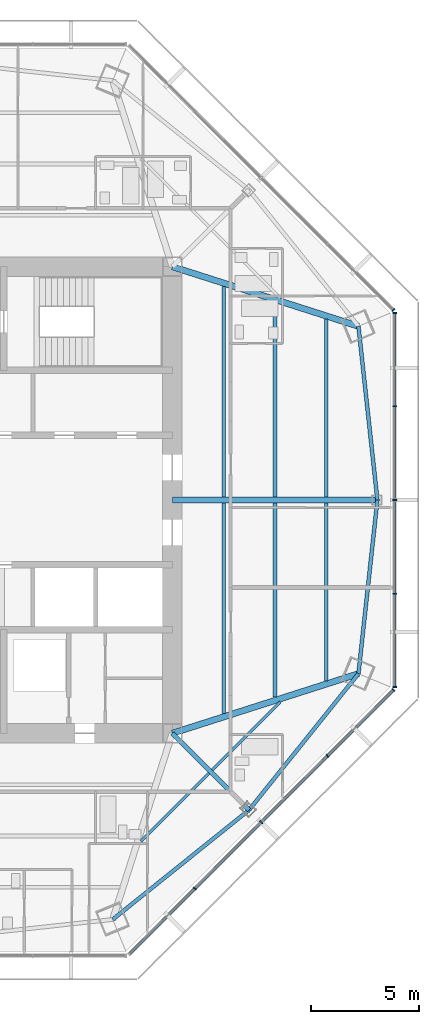
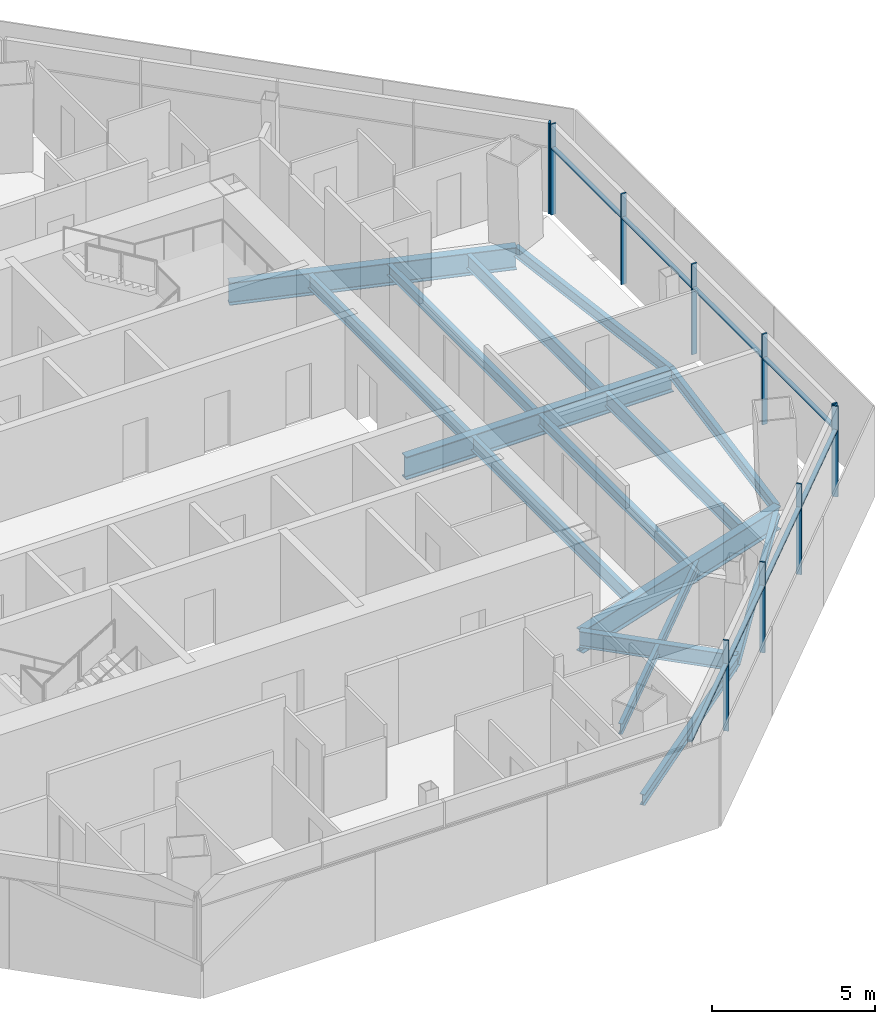
# One storey, part 4 of 14: 18 members, 16 beams, 3 elements without a shape of their own.
"""IFC4 building model written with IfcOpenShell, lengths in metres."""

from ifc_helpers import new_model, si_unit, direction, frame, origin, origin_2d, place, context, subcontext, project, spatial, rectangle, i_section, extrude, source, transform, mapped, material, material_profile, profile_set, type_object, type_shapes, element, aggregate, save


model = new_model("IFC4")

# Units and contexts
model_context = context("Model", 3, precision=1e-05, world=origin(), true_north=direction((0.0, 1.0)))
body_context = subcontext(model_context, "Body", "Model", "MODEL_VIEW")
ifc_project = project(units=[si_unit("LENGTHUNIT", "METRE"), si_unit("AREAUNIT", "SQUARE_METRE"), si_unit("VOLUMEUNIT", "CUBIC_METRE"), si_unit("PLANEANGLEUNIT", "RADIAN"), si_unit("MASSUNIT", "GRAM", prefix="KILO")], contexts=[model_context])

# Site, building, storey
site_placement = place(None, origin())
site = spatial("IfcSite", under=ifc_project, at=site_placement, CompositionType="ELEMENT")
building_placement = place(site_placement, origin())
building = spatial("IfcBuilding", under=site, at=building_placement, Name="Mashrafa Tower", CompositionType="ELEMENT")
storey_placement = place(building_placement, frame((0.0, 0.0, 244.800048828125)))
storey = spatial("IfcBuildingStorey", under=building, at=storey_placement, Name="L58", CompositionType="ELEMENT", Elevation=244.800048828125)

# Beams
ifc_material_1 = material(Name="Steel ASTM A992", Category="steel")
ifc_material_profile_1 = material_profile(ifc_material_1, i_section(OverallWidth=0.140380859375, OverallDepth=0.40380859375, WebThickness=0.007080078125, FlangeThickness=0.01123046875, FilletRadius=0.01025390625, at=origin_2d()), Name="W16X31")
ifc_profile_set_1 = profile_set([ifc_material_profile_1], Name="Steel ASTM A992")
beam_type_1 = type_object("IfcBeamType", Name="Beam W16X31", PredefinedType="BEAM", material=ifc_profile_set_1)
for number, where, z_axis, x_axis, name in (
    (1, (12.494873046875, -12.656005859375, -0.402099609375), (-0.707079293508, -0.707134267796, 0.0), (0.707134267796, -0.707079293508, 0.0), "Floor beam L58 024"),
    (2, (15.79638671875, -9.354736328125, -0.402099609375), (-0.707134267796, -0.707079293508, 0.0), (0.707079293508, -0.707134267796, 0.0), "Floor beam L58 030"),
):
    element("IfcBeam", number, at=place(storey_placement, frame(where, z_axis=z_axis, x_axis=x_axis)), inside=storey, type_object=beam_type_1, Name=name, PredefinedType="BEAM", context=body_context, shape_type="SweptSolid", body=[
        extrude(i_section(OverallWidth=0.140380859375, OverallDepth=0.40380859375, WebThickness=0.007080078125, FlangeThickness=0.01123046875, FilletRadius=0.01025390625, at=origin_2d()), origin(), (0.0, 0.0, 1.0), 4.44091796875),
    ])
ifc_material_2 = material(Name="Steel ASTM A992", Category="steel")
ifc_material_profile_2 = material_profile(ifc_material_2, i_section(OverallWidth=0.177734375, OverallDepth=0.406494140625, WebThickness=0.0078125, FlangeThickness=0.012939453125, FilletRadius=0.01025390625, at=origin_2d()), Name="W16X40")
ifc_profile_set_2 = profile_set([ifc_material_profile_2], Name="Steel ASTM A992")
beam_type_2 = type_object("IfcBeamType", Name="Beam W16X40", PredefinedType="BEAM", material=ifc_profile_set_2)
for number, where, z_axis, x_axis, name in (
    (3, (15.547607421875, -0.14599609375, -0.4033203125), (0.0, -1.0, 0.0), (1.0, 0.0, 0.0), "Floor beam L58 028"),
    (4, (15.547607421875, 9.127685546875, -0.4033203125), (0.0, -1.0, 0.0), (1.0, 0.0, 0.0), "Floor beam L58 029"),
):
    element("IfcBeam", number, at=place(storey_placement, frame(where, z_axis=z_axis, x_axis=x_axis)), inside=storey, type_object=beam_type_2, Name=name, PredefinedType="BEAM", context=body_context, shape_type="SweptSolid", body=[
        extrude(i_section(OverallWidth=0.177734375, OverallDepth=0.406494140625, WebThickness=0.0078125, FlangeThickness=0.012939453125, FilletRadius=0.01025390625, at=origin_2d()), origin(), (0.0, 0.0, 1.0), 8.981689453125),
    ])
for number, where, z_axis, x_axis, name in (
    (5, (8.042724609375, -19.4169921875, -0.4033203125), (0.779707542426, 0.626143871873, 0.0), (-0.626143871873, 0.779707542426, 0.0), "Spandrel beam L58 058"),
    (6, (14.35107421875, -14.35107421875, -0.4033203125), (0.626143871873, 0.779707542426, 0.0), (-0.779707542426, 0.626143871873, 0.0), "Spandrel beam L58 060"),
    (7, (19.4169921875, -8.042724609375, -0.4033203125), (0.108573300207, 0.994088446006, 0.0), (-0.994088446006, 0.108573300207, 0.0), "Spandrel beam L58 062"),
    (8, (20.29541015625, 0.0, -0.4033203125), (-0.108573300207, 0.994088446006, 0.0), (-0.994088446006, -0.108573300207, 0.0), "Spandrel beam L58 064"),
):
    element("IfcBeam", number, at=place(storey_placement, frame(where, z_axis=z_axis, x_axis=x_axis)), inside=storey, type_object=beam_type_2, Name=name, PredefinedType="BEAM", context=body_context, shape_type="SweptSolid", body=[
        extrude(i_section(OverallWidth=0.177734375, OverallDepth=0.406494140625, WebThickness=0.0078125, FlangeThickness=0.012939453125, FilletRadius=0.01025390625, at=origin_2d()), origin(), (0.0, 0.0, 1.0), 8.090576171875),
    ])
ifc_material_3 = material(Name="Steel ASTM A992", Category="steel")
ifc_material_profile_3 = material_profile(ifc_material_3, i_section(OverallWidth=0.165771484375, OverallDepth=0.5283203125, WebThickness=0.009765625, FlangeThickness=0.013671875, FilletRadius=0.012939453125, at=origin_2d()), Name="W21X50")
ifc_profile_set_3 = profile_set([ifc_material_profile_3], Name="Steel ASTM A992")
beam_type_3 = type_object("IfcBeamType", Name="Beam W21X50", PredefinedType="BEAM", material=ifc_profile_set_3)
for number, where, z_axis, x_axis, name in (
    (9, (13.173828125, -0.14599609375, -0.464111328125), (0.0, -1.0, 0.0), (1.0, 0.0, 0.0), "Floor beam L58 026"),
    (10, (13.173828125, 9.88720703125, -0.464111328125), (0.0, -1.0, 0.0), (1.0, 0.0, 0.0), "Floor beam L58 027"),
):
    element("IfcBeam", number, at=place(storey_placement, frame(where, z_axis=z_axis, x_axis=x_axis)), inside=storey, type_object=beam_type_3, Name=name, PredefinedType="BEAM", context=body_context, shape_type="SweptSolid", body=[
        extrude(i_section(OverallWidth=0.165771484375, OverallDepth=0.5283203125, WebThickness=0.009765625, FlangeThickness=0.013671875, FilletRadius=0.012939453125, at=origin_2d()), origin(), (0.0, 0.0, 1.0), 9.7412109375),
    ])
for number, where, z_axis, x_axis, name in (
    (11, (17.92138671875, -0.14599609375, -0.464111328125), (0.0, -1.0, 0.0), (1.0, 0.0, 0.0), "Floor beam L58 031"),
    (12, (17.92138671875, 8.3681640625, -0.464111328125), (0.0, -1.0, 0.0), (1.0, 0.0, 0.0), "Floor beam L58 032"),
):
    element("IfcBeam", number, at=place(storey_placement, frame(where, z_axis=z_axis, x_axis=x_axis)), inside=storey, type_object=beam_type_3, Name=name, PredefinedType="BEAM", context=body_context, shape_type="SweptSolid", body=[
        extrude(i_section(OverallWidth=0.165771484375, OverallDepth=0.5283203125, WebThickness=0.009765625, FlangeThickness=0.013671875, FilletRadius=0.012939453125, at=origin_2d()), origin(), (0.0, 0.0, 1.0), 8.22216796875),
    ])
ifc_material_4 = material(Name="Steel ASTM A992", Category="steel")
ifc_material_profile_4 = material_profile(ifc_material_4, i_section(OverallWidth=0.227783203125, OverallDepth=0.60205078125, WebThickness=0.010498046875, FlangeThickness=0.014892578125, FilletRadius=0.012939453125, at=origin_2d()), Name="W24X68")
ifc_profile_set_4 = profile_set([ifc_material_profile_4], Name="Steel ASTM A992")
beam_type_4 = type_object("IfcBeamType", Name="Beam W24X68", PredefinedType="BEAM", material=ifc_profile_set_4)
beam_1_placement = place(storey_placement, frame((10.800048828125, -10.800048828125, -0.5009765625), z_axis=(0.707106781187, -0.707106781187, 0.0), x_axis=(0.707106781187, 0.707106781187, 0.0)))
element("IfcBeam", 13, at=beam_1_placement, inside=storey, type_object=beam_type_4, Name="Radial girder L58 043", PredefinedType="BEAM", context=body_context, shape_type="SweptSolid", body=[
    extrude(i_section(OverallWidth=0.227783203125, OverallDepth=0.60205078125, WebThickness=0.010498046875, FlangeThickness=0.014892578125, FilletRadius=0.012939453125, at=origin_2d()), origin(), (0.0, 0.0, 1.0), 5.02197265625),
])
ifc_material_5 = material(Name="Steel ASTM A992", Category="steel")
ifc_material_profile_5 = material_profile(ifc_material_5, i_section(OverallWidth=0.2919921875, OverallDepth=0.8408203125, WebThickness=0.0146484375, FlangeThickness=0.021728515625, FilletRadius=0.017333984375, at=origin_2d()), Name="W33X130")
ifc_profile_set_5 = profile_set([ifc_material_profile_5], Name="Steel ASTM A992")
beam_type_5 = type_object("IfcBeamType", Name="Beam W33X130", PredefinedType="BEAM", material=ifc_profile_set_5)
for number, where, z_axis, x_axis, name in (
    (14, (10.800048828125, -10.800048828125, -0.620361328125), (0.952427280358, 0.304765935809, 0.0), (-0.304765935809, 0.952427280358, 0.0), "Radial girder L58 044"),
    (15, (10.800048828125, 10.800048828125, -0.620361328125), (0.952427280358, -0.304765935809, 0.0), (0.304765935809, 0.952427280358, 0.0), "Radial girder L58 048"),
):
    element("IfcBeam", number, at=place(storey_placement, frame(where, z_axis=z_axis, x_axis=x_axis)), inside=storey, type_object=beam_type_5, Name=name, PredefinedType="BEAM", context=body_context, shape_type="SweptSolid", body=[
        extrude(i_section(OverallWidth=0.2919921875, OverallDepth=0.8408203125, WebThickness=0.0146484375, FlangeThickness=0.021728515625, FilletRadius=0.017333984375, at=origin_2d()), origin(), (0.0, 0.0, 1.0), 9.04736328125),
    ])
ifc_material_6 = material(Name="Steel ASTM A992", Category="steel")
ifc_material_profile_6 = material_profile(ifc_material_6, i_section(OverallWidth=0.2919921875, OverallDepth=0.8583984375, WebThickness=0.01708984375, FlangeThickness=0.031005859375, FilletRadius=0.017822265625, at=origin_2d()), Name="W33X169")
ifc_profile_set_6 = profile_set([ifc_material_profile_6], Name="Steel ASTM A992")
beam_type_6 = type_object("IfcBeamType", Name="Beam W33X169", PredefinedType="BEAM", material=ifc_profile_set_6)
beam_2_placement = place(storey_placement, frame((10.800048828125, 0.0, -0.62939453125), z_axis=(1.0, 0.0, 0.0), x_axis=(0.0, 1.0, 0.0)))
element("IfcBeam", 16, at=beam_2_placement, inside=storey, type_object=beam_type_6, Name="Radial girder L58 045", PredefinedType="BEAM", context=body_context, shape_type="SweptSolid", body=[
    extrude(i_section(OverallWidth=0.2919921875, OverallDepth=0.8583984375, WebThickness=0.01708984375, FlangeThickness=0.031005859375, FilletRadius=0.017822265625, at=origin_2d()), origin(), (0.0, 0.0, 1.0), 9.495361328125),
])

# Curtain wall, members
ifc_material_7 = material(Name="Unitised aluminium curtain wall", Category="aluminium")
curtain_wall_type = type_object("IfcCurtainWallType", Name="Apartment curtain wall, zone 3 CW-C 180 deep", PredefinedType="NOTDEFINED", material=ifc_material_7)
curtain_wall_1_placement = place(storey_placement, origin())
curtain_wall_1 = element("IfcCurtainWall", 17, at=curtain_wall_1_placement, inside=storey, type_object=curtain_wall_type, Name="Apartment curtain wall, zone 3 L58 east", PredefinedType="NOTDEFINED")
ifc_material_8 = material(Name="Extruded aluminium mullion", Category="aluminium")
ifc_material_profile_7 = material_profile(ifc_material_8, rectangle(XDim=0.179931640625, YDim=0.06005859375, at=origin_2d()), Name="Mullion 60x180")
ifc_profile_set_7 = profile_set([ifc_material_profile_7], Name="Extruded aluminium mullion")
member_type_1 = type_object("IfcMemberType", Name="Mullion CW-C 60 x 180", PredefinedType="MULLION", material=ifc_profile_set_7)
shared_shape_1 = source(origin(), body_context, "Body", "SweptSolid", [
    extrude(rectangle(XDim=0.179931640625, YDim=0.06005859375, at=origin_2d()), origin(), (0.0, 0.0, 1.0), 3.39990234375),
])
type_shapes(member_type_1, [shared_shape_1])
member_1_placement = place(storey_placement, frame((21.089599609375, -8.658447265625, 0.0), z_axis=(0.0, 0.0, 1.0), x_axis=(-1.0, 0.0, 0.0)))
member_1 = element("IfcMember", 18, at=member_1_placement, type_object=member_type_1, Name="CW-C mullion 1", PredefinedType="MULLION", context=body_context, shape_type="MappedRepresentation", body=[
    mapped(shared_shape_1, transform((0.0, 0.0, 0.0))),
])
member_2_placement = place(storey_placement, frame((21.089599609375, -4.34423828125, 0.0), z_axis=(0.0, 0.0, 1.0), x_axis=(-1.0, 0.0, 0.0)))
member_2 = element("IfcMember", 19, at=member_2_placement, type_object=member_type_1, Name="CW-C mullion 2", PredefinedType="MULLION", context=body_context, shape_type="MappedRepresentation", body=[
    mapped(shared_shape_1, transform((0.0, 0.0, 0.0))),
])
member_3_placement = place(storey_placement, frame((21.089599609375, 0.0, 0.0), z_axis=(0.0, 0.0, 1.0), x_axis=(-1.0, 0.0, 0.0)))
member_3 = element("IfcMember", 20, at=member_3_placement, type_object=member_type_1, Name="CW-C mullion 3", PredefinedType="MULLION", context=body_context, shape_type="MappedRepresentation", body=[
    mapped(shared_shape_1, transform((0.0, 0.0, 0.0))),
])
member_4_placement = place(storey_placement, frame((21.089599609375, 4.34423828125, 0.0), z_axis=(0.0, 0.0, 1.0), x_axis=(-1.0, 0.0, 0.0)))
member_4 = element("IfcMember", 21, at=member_4_placement, type_object=member_type_1, Name="CW-C mullion 4", PredefinedType="MULLION", context=body_context, shape_type="MappedRepresentation", body=[
    mapped(shared_shape_1, transform((0.0, 0.0, 0.0))),
])
member_5_placement = place(storey_placement, frame((21.089599609375, 8.658447265625, 0.0), z_axis=(0.0, 0.0, 1.0), x_axis=(-1.0, 0.0, 0.0)))
member_5 = element("IfcMember", 22, at=member_5_placement, type_object=member_type_1, Name="CW-C mullion 5", PredefinedType="MULLION", context=body_context, shape_type="MappedRepresentation", body=[
    mapped(shared_shape_1, transform((0.0, 0.0, 0.0))),
])

# Curtain wall, member
curtain_wall_2_placement = place(storey_placement, origin())
curtain_wall_2 = element("IfcCurtainWall", 23, at=curtain_wall_2_placement, inside=storey, type_object=curtain_wall_type, Name="Apartment curtain wall, zone 3 L58 north-east", PredefinedType="NOTDEFINED")
member_6_placement = place(storey_placement, frame((21.034912109375, 8.790283203125, 0.0), z_axis=(0.0, 0.0, 1.0), x_axis=(-0.707106781187, -0.707106781187, 0.0)))
member_6 = element("IfcMember", 24, at=member_6_placement, type_object=member_type_1, Name="CW-C mullion 1", PredefinedType="MULLION", context=body_context, shape_type="MappedRepresentation", body=[
    mapped(shared_shape_1, transform((0.0, 0.0, 0.0))),
])
aggregate(curtain_wall_2, [member_6])

# Curtain wall, members
curtain_wall_3_placement = place(storey_placement, origin())
curtain_wall_3 = element("IfcCurtainWall", 25, at=curtain_wall_3_placement, inside=storey, type_object=curtain_wall_type, Name="Apartment curtain wall, zone 3 L58 south-east", PredefinedType="NOTDEFINED")
member_7_placement = place(storey_placement, frame((11.8408203125, -17.984375, 0.0), z_axis=(0.0, 0.0, 1.0), x_axis=(-0.707106781187, 0.707106781187, 0.0)))
member_7 = element("IfcMember", 26, at=member_7_placement, type_object=member_type_1, Name="CW-C mullion 2", PredefinedType="MULLION", context=body_context, shape_type="MappedRepresentation", body=[
    mapped(shared_shape_1, transform((0.0, 0.0, 0.0))),
])
member_8_placement = place(storey_placement, frame((14.91259765625, -14.91259765625, 0.0), z_axis=(0.0, 0.0, 1.0), x_axis=(-0.707106781187, 0.707106781187, 0.0)))
member_8 = element("IfcMember", 27, at=member_8_placement, type_object=member_type_1, Name="CW-C mullion 3", PredefinedType="MULLION", context=body_context, shape_type="MappedRepresentation", body=[
    mapped(shared_shape_1, transform((0.0, 0.0, 0.0))),
])
member_9_placement = place(storey_placement, frame((17.984375, -11.8408203125, 0.0), z_axis=(0.0, 0.0, 1.0), x_axis=(-0.707106781187, 0.707106781187, 0.0)))
member_9 = element("IfcMember", 28, at=member_9_placement, type_object=member_type_1, Name="CW-C mullion 4", PredefinedType="MULLION", context=body_context, shape_type="MappedRepresentation", body=[
    mapped(shared_shape_1, transform((0.0, 0.0, 0.0))),
])
member_10_placement = place(storey_placement, frame((21.034912109375, -8.790283203125, 0.0), z_axis=(0.0, 0.0, 1.0), x_axis=(-0.707106781187, 0.707106781187, 0.0)))
member_10 = element("IfcMember", 29, at=member_10_placement, type_object=member_type_1, Name="CW-C mullion 5", PredefinedType="MULLION", context=body_context, shape_type="MappedRepresentation", body=[
    mapped(shared_shape_1, transform((0.0, 0.0, 0.0))),
])

# Member
ifc_material_9 = material(Name="Extruded aluminium transom", Category="aluminium")
ifc_material_profile_8 = material_profile(ifc_material_9, rectangle(XDim=0.14404296875, YDim=0.074951171875, at=origin_2d()), Name="Transom 75x144")
ifc_profile_set_8 = profile_set([ifc_material_profile_8], Name="Extruded aluminium transom")
member_type_2 = type_object("IfcMemberType", Name="Transom CW-C 75 x 144", PredefinedType="MULLION", material=ifc_profile_set_8)
shared_shape_2 = source(origin(), body_context, "Body", "SweptSolid", [
    extrude(rectangle(XDim=0.14404296875, YDim=0.074951171875, at=origin_2d()), origin(), (0.0, 0.0, 1.0), 4.254150390625),
])
member_11_placement = place(storey_placement, frame((21.089599609375, -8.62841796875, 2.5), z_axis=(0.0, 1.0, 0.0), x_axis=(-1.0, 0.0, 0.0)))
member_11 = element("IfcMember", 30, at=member_11_placement, type_object=member_type_2, Name="CW-C transom 1", PredefinedType="MULLION", context=body_context, shape_type="MappedRepresentation", body=[
    mapped(shared_shape_2, transform((0.0, 0.0, 0.0))),
])

member_12_placement = place(storey_placement, frame((21.089599609375, 4.374267578125, 2.5), z_axis=(0.0, 1.0, 0.0), x_axis=(-1.0, 0.0, 0.0)))
member_12 = element("IfcMember", 31, at=member_12_placement, type_object=member_type_2, Name="CW-C transom 4", PredefinedType="MULLION", context=body_context, shape_type="MappedRepresentation", body=[
    mapped(shared_shape_2, transform((0.0, 0.0, 0.0))),
])

member_13_placement = place(storey_placement, frame((8.8115234375, -21.013916015625, 2.5), z_axis=(0.707078086582, 0.707135474626, 0.0), x_axis=(-0.707135474626, 0.707078086582, 0.0)))
member_13 = element("IfcMember", 32, at=member_13_placement, type_object=member_type_2, Name="CW-C transom 1", PredefinedType="MULLION", context=body_context, shape_type="MappedRepresentation", body=[
    mapped(shared_shape_2, transform((0.0, 0.0, 0.0))),
])

member_14_placement = place(storey_placement, frame((18.005615234375, -11.819580078125, 2.5), z_axis=(0.707135474626, 0.707078086582, 0.0), x_axis=(-0.707078086582, 0.707135474626, 0.0)))
member_14 = element("IfcMember", 33, at=member_14_placement, type_object=member_type_2, Name="CW-C transom 4", PredefinedType="MULLION", context=body_context, shape_type="MappedRepresentation", body=[
    mapped(shared_shape_2, transform((0.0, 0.0, 0.0))),
])

shared_shape_3 = source(origin(), body_context, "Body", "SweptSolid", [
    extrude(rectangle(XDim=0.14404296875, YDim=0.074951171875, at=origin_2d()), origin(), (0.0, 0.0, 1.0), 4.2841796875),
])
type_shapes(member_type_2, [shared_shape_2, shared_shape_3])
member_15_placement = place(storey_placement, frame((21.089599609375, -4.314208984375, 2.5), z_axis=(0.0, 1.0, 0.0), x_axis=(-1.0, 0.0, 0.0)))
member_15 = element("IfcMember", 34, at=member_15_placement, type_object=member_type_2, Name="CW-C transom 2", PredefinedType="MULLION", context=body_context, shape_type="MappedRepresentation", body=[
    mapped(shared_shape_3, transform((0.0, 0.0, 0.0))),
])

member_16_placement = place(storey_placement, frame((21.089599609375, 0.030029296875, 2.5), z_axis=(0.0, 1.0, 0.0), x_axis=(-1.0, 0.0, 0.0)))
member_16 = element("IfcMember", 35, at=member_16_placement, type_object=member_type_2, Name="CW-C transom 3", PredefinedType="MULLION", context=body_context, shape_type="MappedRepresentation", body=[
    mapped(shared_shape_3, transform((0.0, 0.0, 0.0))),
])

aggregate(curtain_wall_1, [member_1, member_2, member_3, member_4, member_5, member_11, member_15, member_16, member_12])

member_17_placement = place(storey_placement, frame((11.862060546875, -17.963134765625, 2.5), z_axis=(0.707106781187, 0.707106781187, 0.0), x_axis=(-0.707106781187, 0.707106781187, 0.0)))
member_17 = element("IfcMember", 36, at=member_17_placement, type_object=member_type_2, Name="CW-C transom 2", PredefinedType="MULLION", context=body_context, shape_type="MappedRepresentation", body=[
    mapped(shared_shape_3, transform((0.0, 0.0, 0.0))),
])

member_18_placement = place(storey_placement, frame((14.933837890625, -14.891357421875, 2.5), z_axis=(0.707106781187, 0.707106781187, 0.0), x_axis=(-0.707106781187, 0.707106781187, 0.0)))
member_18 = element("IfcMember", 37, at=member_18_placement, type_object=member_type_2, Name="CW-C transom 3", PredefinedType="MULLION", context=body_context, shape_type="MappedRepresentation", body=[
    mapped(shared_shape_3, transform((0.0, 0.0, 0.0))),
])

aggregate(curtain_wall_3, [member_7, member_8, member_9, member_10, member_13, member_17, member_18, member_14])

save(model, "model.ifc")
